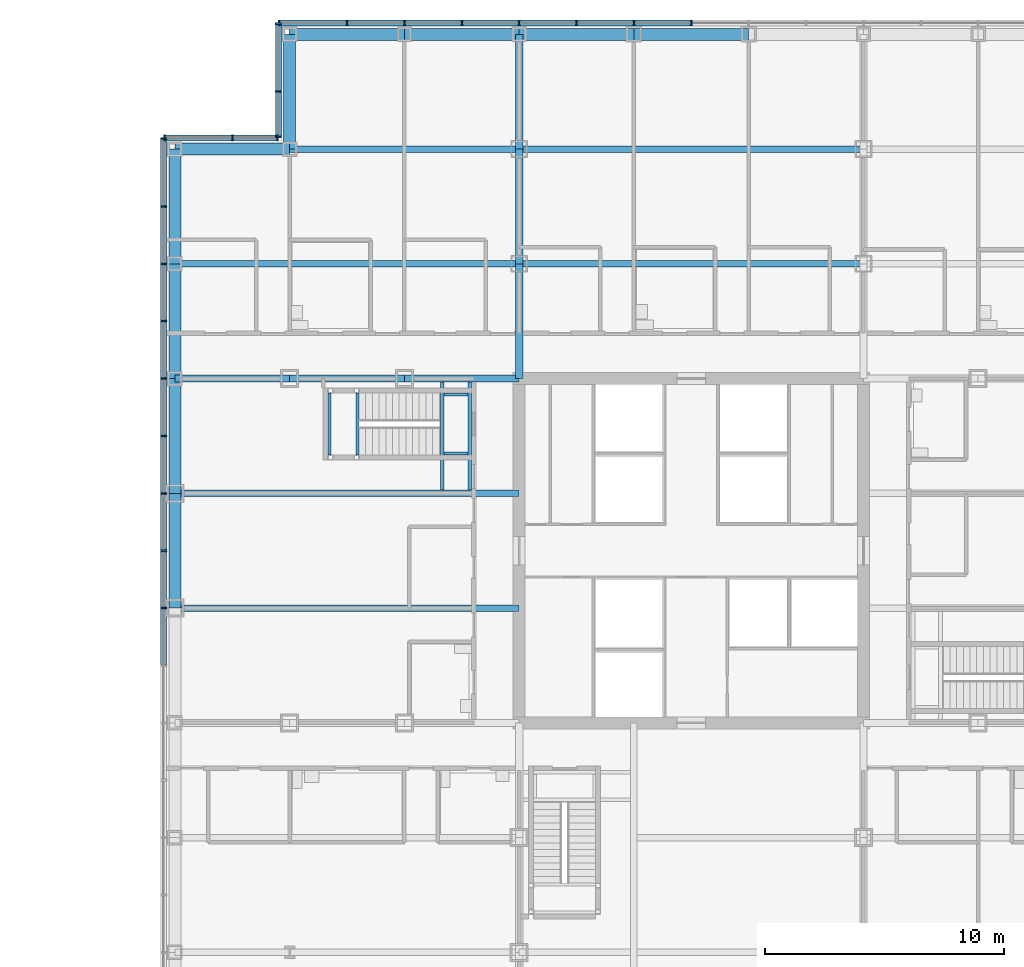
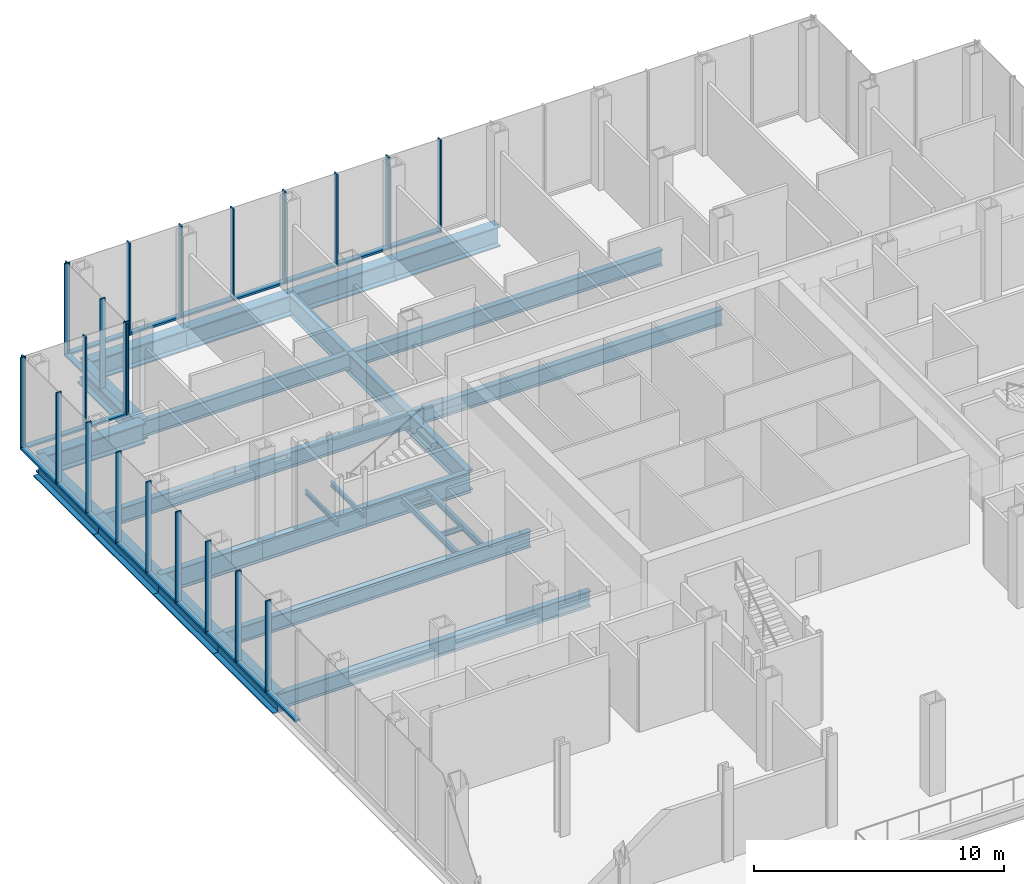
# One storey, part 16 of 26: 43 members, 28 beams, 4 elements without a shape of their own.
"""IFC4 building model written with IfcOpenShell, lengths in metres."""

from ifc_helpers import new_model, si_unit, direction, frame, origin, origin_2d, place, context, subcontext, project, spatial, rectangle, i_section, extrude, material, material_profile, profile_set, type_object, element, aggregate, save


model = new_model("IFC4")

# Units and contexts
model_context = context("Model", 3, precision=1e-05, world=origin(), true_north=direction((0.0, 1.0)))
body_context = subcontext(model_context, "Body", "Model", "MODEL_VIEW")
ifc_project = project(units=[si_unit("LENGTHUNIT", "METRE"), si_unit("AREAUNIT", "SQUARE_METRE"), si_unit("VOLUMEUNIT", "CUBIC_METRE"), si_unit("PLANEANGLEUNIT", "RADIAN"), si_unit("MASSUNIT", "GRAM", prefix="KILO")], contexts=[model_context])

# Site, building, storey
site_placement = place(None, origin())
site = spatial("IfcSite", under=ifc_project, at=site_placement, CompositionType="ELEMENT")
building_placement = place(site_placement, origin())
building = spatial("IfcBuilding", under=site, at=building_placement, Name="Kvirike Care Tower", CompositionType="ELEMENT")
storey_placement = place(building_placement, frame((0.0, 0.0, 18.0)))
storey = spatial("IfcBuildingStorey", under=building, at=storey_placement, Name="L04", CompositionType="ELEMENT", Elevation=18.0)

# Curtain wall, members
ifc_material_1 = material(Name="Anodised aluminium stick system", Category="aluminium")
curtain_wall_type = type_object("IfcCurtainWallType", Name="CW-P PODIUM STICK CURTAIN WALL", PredefinedType="NOTDEFINED", material=ifc_material_1)
curtain_wall_1_placement = place(storey_placement, origin())
curtain_wall_1 = element("IfcCurtainWall", 1, at=curtain_wall_1_placement, inside=storey, type_object=curtain_wall_type, Name="Curtain wall L04 face 11", PredefinedType="NOTDEFINED")
ifc_material_2 = material(Name="Bronze anodised aluminium mullion", Category="aluminium")
ifc_material_profile_1 = material_profile(ifc_material_2, rectangle(XDim=0.06494140625, YDim=0.25, at=origin_2d()), Name="CW-P MULLION 65x250")
ifc_profile_set_1 = profile_set([ifc_material_profile_1], Name="Bronze anodised aluminium mullion")
member_type_1 = type_object("IfcMemberType", Name="CW-P MULLION 65x250", PredefinedType="MULLION", material=ifc_profile_set_1)
member_1_placement = place(storey_placement, frame((21.60009765625, 58.074951171875, 0.0), z_axis=(0.0, 0.0, 1.0), x_axis=(-1.0, 0.0, 0.0)))
member_1 = element("IfcMember", 2, at=member_1_placement, type_object=member_type_1, Name="CW-P mullion L04 face 11.8", PredefinedType="MULLION", context=body_context, shape_type="SweptSolid", body=[
    extrude(rectangle(XDim=0.06494140625, YDim=0.25, at=origin_2d()), origin(), (0.0, 0.0, 1.0), 4.5),
])
member_2_placement = place(storey_placement, frame((19.199951171875, 58.074951171875, 0.0), z_axis=(0.0, 0.0, 1.0), x_axis=(-1.0, 0.0, 0.0)))
member_2 = element("IfcMember", 3, at=member_2_placement, type_object=member_type_1, Name="CW-P mullion L04 face 11.9", PredefinedType="MULLION", context=body_context, shape_type="SweptSolid", body=[
    extrude(rectangle(XDim=0.06494140625, YDim=0.25, at=origin_2d()), origin(), (0.0, 0.0, 1.0), 4.5),
])
member_3_placement = place(storey_placement, frame((16.800048828125, 58.074951171875, 0.0), z_axis=(0.0, 0.0, 1.0), x_axis=(-1.0, 0.0, 0.0)))
member_3 = element("IfcMember", 4, at=member_3_placement, type_object=member_type_1, Name="CW-P mullion L04 face 11.10", PredefinedType="MULLION", context=body_context, shape_type="SweptSolid", body=[
    extrude(rectangle(XDim=0.06494140625, YDim=0.25, at=origin_2d()), origin(), (0.0, 0.0, 1.0), 4.5),
])
member_4_placement = place(storey_placement, frame((14.39990234375, 58.074951171875, 0.0), z_axis=(0.0, 0.0, 1.0), x_axis=(-1.0, 0.0, 0.0)))
member_4 = element("IfcMember", 5, at=member_4_placement, type_object=member_type_1, Name="CW-P mullion L04 face 11.11", PredefinedType="MULLION", context=body_context, shape_type="SweptSolid", body=[
    extrude(rectangle(XDim=0.06494140625, YDim=0.25, at=origin_2d()), origin(), (0.0, 0.0, 1.0), 4.5),
])
member_5_placement = place(storey_placement, frame((12.0, 58.074951171875, 0.0), z_axis=(0.0, 0.0, 1.0), x_axis=(-1.0, 0.0, 0.0)))
member_5 = element("IfcMember", 6, at=member_5_placement, type_object=member_type_1, Name="CW-P mullion L04 face 11.12", PredefinedType="MULLION", context=body_context, shape_type="SweptSolid", body=[
    extrude(rectangle(XDim=0.06494140625, YDim=0.25, at=origin_2d()), origin(), (0.0, 0.0, 1.0), 4.5),
])
member_6_placement = place(storey_placement, frame((9.60009765625, 58.074951171875, 0.0), z_axis=(0.0, 0.0, 1.0), x_axis=(-1.0, 0.0, 0.0)))
member_6 = element("IfcMember", 7, at=member_6_placement, type_object=member_type_1, Name="CW-P mullion L04 face 11.13", PredefinedType="MULLION", context=body_context, shape_type="SweptSolid", body=[
    extrude(rectangle(XDim=0.06494140625, YDim=0.25, at=origin_2d()), origin(), (0.0, 0.0, 1.0), 4.5),
])
member_7_placement = place(storey_placement, frame((7.199951171875, 58.074951171875, 0.0), z_axis=(0.0, 0.0, 1.0), x_axis=(-1.0, 0.0, 0.0)))
member_7 = element("IfcMember", 8, at=member_7_placement, type_object=member_type_1, Name="CW-P mullion L04 face 11.14", PredefinedType="MULLION", context=body_context, shape_type="SweptSolid", body=[
    extrude(rectangle(XDim=0.06494140625, YDim=0.25, at=origin_2d()), origin(), (0.0, 0.0, 1.0), 4.5),
])
member_8_placement = place(storey_placement, frame((4.357421875, 58.074951171875, 0.0), z_axis=(0.0, 0.0, 1.0), x_axis=(-1.0, 0.0, 0.0)))
member_8 = element("IfcMember", 9, at=member_8_placement, type_object=member_type_1, Name="CW-P mullion L04 face 11.15", PredefinedType="MULLION", context=body_context, shape_type="SweptSolid", body=[
    extrude(rectangle(XDim=0.06494140625, YDim=0.25, at=origin_2d()), origin(), (0.0, 0.0, 1.0), 4.5),
])

curtain_wall_2_placement = place(storey_placement, origin())
curtain_wall_2 = element("IfcCurtainWall", 10, at=curtain_wall_2_placement, inside=storey, type_object=curtain_wall_type, Name="Curtain wall L04 face 12", PredefinedType="NOTDEFINED")
member_9_placement = place(storey_placement, frame((4.324951171875, 58.04248046875, 0.0), z_axis=(0.0, 0.0, 1.0), x_axis=(0.0, -1.0, 0.0)))
member_9 = element("IfcMember", 11, at=member_9_placement, type_object=member_type_1, Name="CW-P mullion L04 face 12.1", PredefinedType="MULLION", context=body_context, shape_type="SweptSolid", body=[
    extrude(rectangle(XDim=0.06494140625, YDim=0.25, at=origin_2d()), origin(), (0.0, 0.0, 1.0), 4.5),
])
member_10_placement = place(storey_placement, frame((4.324951171875, 55.199951171875, 0.0), z_axis=(0.0, 0.0, 1.0), x_axis=(0.0, -1.0, 0.0)))
member_10 = element("IfcMember", 12, at=member_10_placement, type_object=member_type_1, Name="CW-P mullion L04 face 12.2", PredefinedType="MULLION", context=body_context, shape_type="SweptSolid", body=[
    extrude(rectangle(XDim=0.06494140625, YDim=0.25, at=origin_2d()), origin(), (0.0, 0.0, 1.0), 4.5),
])
member_11_placement = place(storey_placement, frame((4.324951171875, 53.3076171875, 0.0), z_axis=(0.0, 0.0, 1.0), x_axis=(0.0, -1.0, 0.0)))
member_11 = element("IfcMember", 13, at=member_11_placement, type_object=member_type_1, Name="CW-P mullion L04 face 12.3", PredefinedType="MULLION", context=body_context, shape_type="SweptSolid", body=[
    extrude(rectangle(XDim=0.06494140625, YDim=0.25, at=origin_2d()), origin(), (0.0, 0.0, 1.0), 4.5),
])

curtain_wall_3_placement = place(storey_placement, origin())
curtain_wall_3 = element("IfcCurtainWall", 14, at=curtain_wall_3_placement, inside=storey, type_object=curtain_wall_type, Name="Curtain wall L04 face 13", PredefinedType="NOTDEFINED")
member_12_placement = place(storey_placement, frame((4.29248046875, 53.27490234375, 0.0), z_axis=(0.0, 0.0, 1.0), x_axis=(-1.0, 0.0, 0.0)))
member_12 = element("IfcMember", 15, at=member_12_placement, type_object=member_type_1, Name="CW-P mullion L04 face 13.1", PredefinedType="MULLION", context=body_context, shape_type="SweptSolid", body=[
    extrude(rectangle(XDim=0.06494140625, YDim=0.25, at=origin_2d()), origin(), (0.0, 0.0, 1.0), 4.5),
])
member_13_placement = place(storey_placement, frame((2.39990234375, 53.27490234375, 0.0), z_axis=(0.0, 0.0, 1.0), x_axis=(-1.0, 0.0, 0.0)))
member_13 = element("IfcMember", 16, at=member_13_placement, type_object=member_type_1, Name="CW-P mullion L04 face 13.2", PredefinedType="MULLION", context=body_context, shape_type="SweptSolid", body=[
    extrude(rectangle(XDim=0.06494140625, YDim=0.25, at=origin_2d()), origin(), (0.0, 0.0, 1.0), 4.5),
])
member_14_placement = place(storey_placement, frame((-0.4423828125, 53.27490234375, 0.0), z_axis=(0.0, 0.0, 1.0), x_axis=(-1.0, 0.0, 0.0)))
member_14 = element("IfcMember", 17, at=member_14_placement, type_object=member_type_1, Name="CW-P mullion L04 face 13.3", PredefinedType="MULLION", context=body_context, shape_type="SweptSolid", body=[
    extrude(rectangle(XDim=0.06494140625, YDim=0.25, at=origin_2d()), origin(), (0.0, 0.0, 1.0), 4.5),
])

curtain_wall_4_placement = place(storey_placement, origin())
curtain_wall_4 = element("IfcCurtainWall", 18, at=curtain_wall_4_placement, inside=storey, type_object=curtain_wall_type, Name="Curtain wall L04 face 14", PredefinedType="NOTDEFINED")
member_15_placement = place(storey_placement, frame((-0.47509765625, 53.242431640625, 0.0), z_axis=(0.0, 0.0, 1.0), x_axis=(0.0, -1.0, 0.0)))
member_15 = element("IfcMember", 19, at=member_15_placement, type_object=member_type_1, Name="CW-P mullion L04 face 14.1", PredefinedType="MULLION", context=body_context, shape_type="SweptSolid", body=[
    extrude(rectangle(XDim=0.06494140625, YDim=0.25, at=origin_2d()), origin(), (0.0, 0.0, 1.0), 4.5),
])
member_16_placement = place(storey_placement, frame((-0.47509765625, 50.39990234375, 0.0), z_axis=(0.0, 0.0, 1.0), x_axis=(0.0, -1.0, 0.0)))
member_16 = element("IfcMember", 20, at=member_16_placement, type_object=member_type_1, Name="CW-P mullion L04 face 14.2", PredefinedType="MULLION", context=body_context, shape_type="SweptSolid", body=[
    extrude(rectangle(XDim=0.06494140625, YDim=0.25, at=origin_2d()), origin(), (0.0, 0.0, 1.0), 4.5),
])
member_17_placement = place(storey_placement, frame((-0.47509765625, 48.0, 0.0), z_axis=(0.0, 0.0, 1.0), x_axis=(0.0, -1.0, 0.0)))
member_17 = element("IfcMember", 21, at=member_17_placement, type_object=member_type_1, Name="CW-P mullion L04 face 14.3", PredefinedType="MULLION", context=body_context, shape_type="SweptSolid", body=[
    extrude(rectangle(XDim=0.06494140625, YDim=0.25, at=origin_2d()), origin(), (0.0, 0.0, 1.0), 4.5),
])
member_18_placement = place(storey_placement, frame((-0.47509765625, 45.60009765625, 0.0), z_axis=(0.0, 0.0, 1.0), x_axis=(0.0, -1.0, 0.0)))
member_18 = element("IfcMember", 22, at=member_18_placement, type_object=member_type_1, Name="CW-P mullion L04 face 14.4", PredefinedType="MULLION", context=body_context, shape_type="SweptSolid", body=[
    extrude(rectangle(XDim=0.06494140625, YDim=0.25, at=origin_2d()), origin(), (0.0, 0.0, 1.0), 4.5),
])
member_19_placement = place(storey_placement, frame((-0.47509765625, 43.199951171875, 0.0), z_axis=(0.0, 0.0, 1.0), x_axis=(0.0, -1.0, 0.0)))
member_19 = element("IfcMember", 23, at=member_19_placement, type_object=member_type_1, Name="CW-P mullion L04 face 14.5", PredefinedType="MULLION", context=body_context, shape_type="SweptSolid", body=[
    extrude(rectangle(XDim=0.06494140625, YDim=0.25, at=origin_2d()), origin(), (0.0, 0.0, 1.0), 4.5),
])
member_20_placement = place(storey_placement, frame((-0.47509765625, 40.800048828125, 0.0), z_axis=(0.0, 0.0, 1.0), x_axis=(0.0, -1.0, 0.0)))
member_20 = element("IfcMember", 24, at=member_20_placement, type_object=member_type_1, Name="CW-P mullion L04 face 14.6", PredefinedType="MULLION", context=body_context, shape_type="SweptSolid", body=[
    extrude(rectangle(XDim=0.06494140625, YDim=0.25, at=origin_2d()), origin(), (0.0, 0.0, 1.0), 4.5),
])
member_21_placement = place(storey_placement, frame((-0.47509765625, 38.39990234375, 0.0), z_axis=(0.0, 0.0, 1.0), x_axis=(0.0, -1.0, 0.0)))
member_21 = element("IfcMember", 25, at=member_21_placement, type_object=member_type_1, Name="CW-P mullion L04 face 14.7", PredefinedType="MULLION", context=body_context, shape_type="SweptSolid", body=[
    extrude(rectangle(XDim=0.06494140625, YDim=0.25, at=origin_2d()), origin(), (0.0, 0.0, 1.0), 4.5),
])
member_22_placement = place(storey_placement, frame((-0.47509765625, 36.0, 0.0), z_axis=(0.0, 0.0, 1.0), x_axis=(0.0, -1.0, 0.0)))
member_22 = element("IfcMember", 26, at=member_22_placement, type_object=member_type_1, Name="CW-P mullion L04 face 14.8", PredefinedType="MULLION", context=body_context, shape_type="SweptSolid", body=[
    extrude(rectangle(XDim=0.06494140625, YDim=0.25, at=origin_2d()), origin(), (0.0, 0.0, 1.0), 4.5),
])
member_23_placement = place(storey_placement, frame((-0.47509765625, 33.60009765625, 0.0), z_axis=(0.0, 0.0, 1.0), x_axis=(0.0, -1.0, 0.0)))
member_23 = element("IfcMember", 27, at=member_23_placement, type_object=member_type_1, Name="CW-P mullion L04 face 14.9", PredefinedType="MULLION", context=body_context, shape_type="SweptSolid", body=[
    extrude(rectangle(XDim=0.06494140625, YDim=0.25, at=origin_2d()), origin(), (0.0, 0.0, 1.0), 4.5),
])

# Member
ifc_material_3 = material(Name="Bronze anodised aluminium transom", Category="aluminium")
ifc_material_profile_2 = material_profile(ifc_material_3, rectangle(XDim=0.25, YDim=0.10009765625, at=origin_2d()), Name="CW-P TRANSOM 250x100")
ifc_profile_set_2 = profile_set([ifc_material_profile_2], Name="Bronze anodised aluminium transom")
member_type_2 = type_object("IfcMemberType", Name="CW-P TRANSOM 250x100", PredefinedType="USERDEFINED", material=ifc_profile_set_2)
member_24_placement = place(storey_placement, frame((21.5673828125, 58.074951171875, 0.050048828125), z_axis=(-1.0, 0.0, 0.0), x_axis=(0.0, -1.0, 0.0)))
member_24 = element("IfcMember", 28, at=member_24_placement, type_object=member_type_2, Name="CW-P sill transom L04 face 11.8", ObjectType="TRANSOM", PredefinedType="USERDEFINED", context=body_context, shape_type="SweptSolid", body=[
    extrude(rectangle(XDim=0.25, YDim=0.10009765625, at=origin_2d()), origin(), (0.0, 0.0, 1.0), 2.3349609375),
])

member_25_placement = place(storey_placement, frame((19.16748046875, 58.074951171875, 0.050048828125), z_axis=(-1.0, 0.0, 0.0), x_axis=(0.0, -1.0, 0.0)))
member_25 = element("IfcMember", 29, at=member_25_placement, type_object=member_type_2, Name="CW-P sill transom L04 face 11.9", ObjectType="TRANSOM", PredefinedType="USERDEFINED", context=body_context, shape_type="SweptSolid", body=[
    extrude(rectangle(XDim=0.25, YDim=0.10009765625, at=origin_2d()), origin(), (0.0, 0.0, 1.0), 2.3349609375),
])

member_26_placement = place(storey_placement, frame((16.767578125, 58.074951171875, 0.050048828125), z_axis=(-1.0, 0.0, 0.0), x_axis=(0.0, -1.0, 0.0)))
member_26 = element("IfcMember", 30, at=member_26_placement, type_object=member_type_2, Name="CW-P sill transom L04 face 11.10", ObjectType="TRANSOM", PredefinedType="USERDEFINED", context=body_context, shape_type="SweptSolid", body=[
    extrude(rectangle(XDim=0.25, YDim=0.10009765625, at=origin_2d()), origin(), (0.0, 0.0, 1.0), 2.3349609375),
])

member_27_placement = place(storey_placement, frame((14.367431640625, 58.074951171875, 0.050048828125), z_axis=(-1.0, 0.0, 0.0), x_axis=(0.0, -1.0, 0.0)))
member_27 = element("IfcMember", 31, at=member_27_placement, type_object=member_type_2, Name="CW-P sill transom L04 face 11.11", ObjectType="TRANSOM", PredefinedType="USERDEFINED", context=body_context, shape_type="SweptSolid", body=[
    extrude(rectangle(XDim=0.25, YDim=0.10009765625, at=origin_2d()), origin(), (0.0, 0.0, 1.0), 2.3349609375),
])

member_28_placement = place(storey_placement, frame((11.967529296875, 58.074951171875, 0.050048828125), z_axis=(-1.0, 0.0, 0.0), x_axis=(0.0, -1.0, 0.0)))
member_28 = element("IfcMember", 32, at=member_28_placement, type_object=member_type_2, Name="CW-P sill transom L04 face 11.12", ObjectType="TRANSOM", PredefinedType="USERDEFINED", context=body_context, shape_type="SweptSolid", body=[
    extrude(rectangle(XDim=0.25, YDim=0.10009765625, at=origin_2d()), origin(), (0.0, 0.0, 1.0), 2.3349609375),
])

member_29_placement = place(storey_placement, frame((9.5673828125, 58.074951171875, 0.050048828125), z_axis=(-1.0, 0.0, 0.0), x_axis=(0.0, -1.0, 0.0)))
member_29 = element("IfcMember", 33, at=member_29_placement, type_object=member_type_2, Name="CW-P sill transom L04 face 11.13", ObjectType="TRANSOM", PredefinedType="USERDEFINED", context=body_context, shape_type="SweptSolid", body=[
    extrude(rectangle(XDim=0.25, YDim=0.10009765625, at=origin_2d()), origin(), (0.0, 0.0, 1.0), 2.3349609375),
])

member_30_placement = place(storey_placement, frame((7.16748046875, 58.074951171875, 0.050048828125), z_axis=(-1.0, 0.0, 0.0), x_axis=(0.0, -1.0, 0.0)))
member_30 = element("IfcMember", 34, at=member_30_placement, type_object=member_type_2, Name="CW-P sill transom L04 face 11.14", ObjectType="TRANSOM", PredefinedType="USERDEFINED", context=body_context, shape_type="SweptSolid", body=[
    extrude(rectangle(XDim=0.25, YDim=0.10009765625, at=origin_2d()), origin(), (0.0, 0.0, 1.0), 2.777587890625),
])

aggregate(curtain_wall_1, [member_1, member_2, member_3, member_4, member_5, member_6, member_7, member_8, member_24, member_25, member_26, member_27, member_28, member_29, member_30])

member_31_placement = place(storey_placement, frame((4.324951171875, 58.010009765625, 0.050048828125), z_axis=(0.0, -1.0, 0.0), x_axis=(1.0, 0.0, 0.0)))
member_31 = element("IfcMember", 35, at=member_31_placement, type_object=member_type_2, Name="CW-P sill transom L04 face 12.1", ObjectType="TRANSOM", PredefinedType="USERDEFINED", context=body_context, shape_type="SweptSolid", body=[
    extrude(rectangle(XDim=0.25, YDim=0.10009765625, at=origin_2d()), origin(), (0.0, 0.0, 1.0), 2.777587890625),
])

member_32_placement = place(storey_placement, frame((4.324951171875, 55.16748046875, 0.050048828125), z_axis=(0.0, -1.0, 0.0), x_axis=(1.0, 0.0, 0.0)))
member_32 = element("IfcMember", 36, at=member_32_placement, type_object=member_type_2, Name="CW-P sill transom L04 face 12.2", ObjectType="TRANSOM", PredefinedType="USERDEFINED", context=body_context, shape_type="SweptSolid", body=[
    extrude(rectangle(XDim=0.25, YDim=0.10009765625, at=origin_2d()), origin(), (0.0, 0.0, 1.0), 1.827392578125),
])

aggregate(curtain_wall_2, [member_9, member_10, member_11, member_31, member_32])

member_33_placement = place(storey_placement, frame((4.260009765625, 53.27490234375, 0.050048828125), z_axis=(-1.0, 0.0, 0.0), x_axis=(0.0, -1.0, 0.0)))
member_33 = element("IfcMember", 37, at=member_33_placement, type_object=member_type_2, Name="CW-P sill transom L04 face 13.1", ObjectType="TRANSOM", PredefinedType="USERDEFINED", context=body_context, shape_type="SweptSolid", body=[
    extrude(rectangle(XDim=0.25, YDim=0.10009765625, at=origin_2d()), origin(), (0.0, 0.0, 1.0), 1.827392578125),
])

member_34_placement = place(storey_placement, frame((2.367431640625, 53.27490234375, 0.050048828125), z_axis=(-1.0, 0.0, 0.0), x_axis=(0.0, -1.0, 0.0)))
member_34 = element("IfcMember", 38, at=member_34_placement, type_object=member_type_2, Name="CW-P sill transom L04 face 13.2", ObjectType="TRANSOM", PredefinedType="USERDEFINED", context=body_context, shape_type="SweptSolid", body=[
    extrude(rectangle(XDim=0.25, YDim=0.10009765625, at=origin_2d()), origin(), (0.0, 0.0, 1.0), 2.77734375),
])

aggregate(curtain_wall_3, [member_12, member_13, member_14, member_33, member_34])

member_35_placement = place(storey_placement, frame((-0.47509765625, 53.2099609375, 0.050048828125), z_axis=(0.0, -1.0, 0.0), x_axis=(1.0, 0.0, 0.0)))
member_35 = element("IfcMember", 39, at=member_35_placement, type_object=member_type_2, Name="CW-P sill transom L04 face 14.1", ObjectType="TRANSOM", PredefinedType="USERDEFINED", context=body_context, shape_type="SweptSolid", body=[
    extrude(rectangle(XDim=0.25, YDim=0.10009765625, at=origin_2d()), origin(), (0.0, 0.0, 1.0), 2.77734375),
])

member_36_placement = place(storey_placement, frame((-0.47509765625, 50.367431640625, 0.050048828125), z_axis=(0.0, -1.0, 0.0), x_axis=(1.0, 0.0, 0.0)))
member_36 = element("IfcMember", 40, at=member_36_placement, type_object=member_type_2, Name="CW-P sill transom L04 face 14.2", ObjectType="TRANSOM", PredefinedType="USERDEFINED", context=body_context, shape_type="SweptSolid", body=[
    extrude(rectangle(XDim=0.25, YDim=0.10009765625, at=origin_2d()), origin(), (0.0, 0.0, 1.0), 2.3349609375),
])

member_37_placement = place(storey_placement, frame((-0.47509765625, 47.967529296875, 0.050048828125), z_axis=(0.0, -1.0, 0.0), x_axis=(1.0, 0.0, 0.0)))
member_37 = element("IfcMember", 41, at=member_37_placement, type_object=member_type_2, Name="CW-P sill transom L04 face 14.3", ObjectType="TRANSOM", PredefinedType="USERDEFINED", context=body_context, shape_type="SweptSolid", body=[
    extrude(rectangle(XDim=0.25, YDim=0.10009765625, at=origin_2d()), origin(), (0.0, 0.0, 1.0), 2.3349609375),
])

member_38_placement = place(storey_placement, frame((-0.47509765625, 45.5673828125, 0.050048828125), z_axis=(0.0, -1.0, 0.0), x_axis=(1.0, 0.0, 0.0)))
member_38 = element("IfcMember", 42, at=member_38_placement, type_object=member_type_2, Name="CW-P sill transom L04 face 14.4", ObjectType="TRANSOM", PredefinedType="USERDEFINED", context=body_context, shape_type="SweptSolid", body=[
    extrude(rectangle(XDim=0.25, YDim=0.10009765625, at=origin_2d()), origin(), (0.0, 0.0, 1.0), 2.3349609375),
])

member_39_placement = place(storey_placement, frame((-0.47509765625, 43.16748046875, 0.050048828125), z_axis=(0.0, -1.0, 0.0), x_axis=(1.0, 0.0, 0.0)))
member_39 = element("IfcMember", 43, at=member_39_placement, type_object=member_type_2, Name="CW-P sill transom L04 face 14.5", ObjectType="TRANSOM", PredefinedType="USERDEFINED", context=body_context, shape_type="SweptSolid", body=[
    extrude(rectangle(XDim=0.25, YDim=0.10009765625, at=origin_2d()), origin(), (0.0, 0.0, 1.0), 2.3349609375),
])

member_40_placement = place(storey_placement, frame((-0.47509765625, 40.767578125, 0.050048828125), z_axis=(0.0, -1.0, 0.0), x_axis=(1.0, 0.0, 0.0)))
member_40 = element("IfcMember", 44, at=member_40_placement, type_object=member_type_2, Name="CW-P sill transom L04 face 14.6", ObjectType="TRANSOM", PredefinedType="USERDEFINED", context=body_context, shape_type="SweptSolid", body=[
    extrude(rectangle(XDim=0.25, YDim=0.10009765625, at=origin_2d()), origin(), (0.0, 0.0, 1.0), 2.3349609375),
])

member_41_placement = place(storey_placement, frame((-0.47509765625, 38.367431640625, 0.050048828125), z_axis=(0.0, -1.0, 0.0), x_axis=(1.0, 0.0, 0.0)))
member_41 = element("IfcMember", 45, at=member_41_placement, type_object=member_type_2, Name="CW-P sill transom L04 face 14.7", ObjectType="TRANSOM", PredefinedType="USERDEFINED", context=body_context, shape_type="SweptSolid", body=[
    extrude(rectangle(XDim=0.25, YDim=0.10009765625, at=origin_2d()), origin(), (0.0, 0.0, 1.0), 2.3349609375),
])

member_42_placement = place(storey_placement, frame((-0.47509765625, 35.967529296875, 0.050048828125), z_axis=(0.0, -1.0, 0.0), x_axis=(1.0, 0.0, 0.0)))
member_42 = element("IfcMember", 46, at=member_42_placement, type_object=member_type_2, Name="CW-P sill transom L04 face 14.8", ObjectType="TRANSOM", PredefinedType="USERDEFINED", context=body_context, shape_type="SweptSolid", body=[
    extrude(rectangle(XDim=0.25, YDim=0.10009765625, at=origin_2d()), origin(), (0.0, 0.0, 1.0), 2.3349609375),
])

member_43_placement = place(storey_placement, frame((-0.47509765625, 33.5673828125, 0.050048828125), z_axis=(0.0, -1.0, 0.0), x_axis=(1.0, 0.0, 0.0)))
member_43 = element("IfcMember", 47, at=member_43_placement, type_object=member_type_2, Name="CW-P sill transom L04 face 14.9", ObjectType="TRANSOM", PredefinedType="USERDEFINED", context=body_context, shape_type="SweptSolid", body=[
    extrude(rectangle(XDim=0.25, YDim=0.10009765625, at=origin_2d()), origin(), (0.0, 0.0, 1.0), 2.3349609375),
])

aggregate(curtain_wall_4, [member_15, member_16, member_17, member_18, member_19, member_20, member_21, member_22, member_23, member_35, member_36, member_37, member_38, member_39, member_40, member_41, member_42, member_43])

# Beams
ifc_material_4 = material(Name="Steel S355", Category="steel")
ifc_material_profile_3 = material_profile(ifc_material_4, i_section(OverallWidth=0.26806640625, OverallDepth=0.77001953125, WebThickness=0.015625, FlangeThickness=0.025390625, FilletRadius=0.01708984375, at=origin_2d()), Name="IPE 750x196")
ifc_profile_set_3 = profile_set([ifc_material_profile_3], Name="Steel S355")
beam_type_1 = type_object("IfcBeamType", Name="FLOOR BEAM IPE 750x196", PredefinedType="BEAM", material=ifc_profile_set_3)
for number, where, z_axis, x_axis, name in (
    (48, (0.0, 33.60009765625, -0.554931640625), (1.0, 0.0, 0.0), (0.0, 1.0, 0.0), "Floor Beam H3-H6 L04"),
    (49, (0.0, 38.39990234375, -0.554931640625), (1.0, 0.0, 0.0), (0.0, 1.0, 0.0), "Floor Beam J3-J6 L04"),
    (50, (0.0, 48.0, -0.554931640625), (1.0, 0.0, 0.0), (0.0, 1.0, 0.0), "Floor Beam L3-L6 L04"),
):
    element("IfcBeam", number, at=place(storey_placement, frame(where, z_axis=z_axis, x_axis=x_axis)), inside=storey, type_object=beam_type_1, Name=name, PredefinedType="BEAM", context=body_context, shape_type="SweptSolid", body=[
        extrude(i_section(OverallWidth=0.26806640625, OverallDepth=0.77001953125, WebThickness=0.015625, FlangeThickness=0.025390625, FilletRadius=0.01708984375, at=origin_2d()), origin(), (0.0, 0.0, 1.0), 14.39990234375),
    ])
beam_1_placement = place(storey_placement, frame((14.39990234375, 48.0, -0.554931640625), z_axis=(1.0, 0.0, 0.0), x_axis=(0.0, 1.0, 0.0)))
element("IfcBeam", 51, at=beam_1_placement, inside=storey, type_object=beam_type_1, Name="Floor Beam L6-L9 L04", PredefinedType="BEAM", context=body_context, shape_type="SweptSolid", body=[
    extrude(i_section(OverallWidth=0.26806640625, OverallDepth=0.77001953125, WebThickness=0.015625, FlangeThickness=0.025390625, FilletRadius=0.01708984375, at=origin_2d()), origin(), (0.0, 0.0, 1.0), 14.400146484375),
])
beam_2_placement = place(storey_placement, frame((4.800048828125, 52.800048828125, -0.554931640625), z_axis=(1.0, 0.0, 0.0), x_axis=(0.0, 1.0, 0.0)))
element("IfcBeam", 52, at=beam_2_placement, inside=storey, type_object=beam_type_1, Name="Floor Beam M4-M6 L04", PredefinedType="BEAM", context=body_context, shape_type="SweptSolid", body=[
    extrude(i_section(OverallWidth=0.26806640625, OverallDepth=0.77001953125, WebThickness=0.015625, FlangeThickness=0.025390625, FilletRadius=0.01708984375, at=origin_2d()), origin(), (0.0, 0.0, 1.0), 9.599853515625),
])
beam_3_placement = place(storey_placement, frame((14.39990234375, 52.800048828125, -0.554931640625), z_axis=(1.0, 0.0, 0.0), x_axis=(0.0, 1.0, 0.0)))
element("IfcBeam", 53, at=beam_3_placement, inside=storey, type_object=beam_type_1, Name="Floor Beam M6-M9 L04", PredefinedType="BEAM", context=body_context, shape_type="SweptSolid", body=[
    extrude(i_section(OverallWidth=0.26806640625, OverallDepth=0.77001953125, WebThickness=0.015625, FlangeThickness=0.025390625, FilletRadius=0.01708984375, at=origin_2d()), origin(), (0.0, 0.0, 1.0), 14.400146484375),
])
ifc_material_5 = material(Name="Steel S355", Category="steel")
ifc_material_profile_4 = material_profile(ifc_material_5, i_section(OverallWidth=0.300048828125, OverallDepth=1.0, WebThickness=0.01904296875, FlangeThickness=0.035888671875, FilletRadius=0.030029296875, at=origin_2d()), Name="HE 1000 B")
ifc_profile_set_4 = profile_set([ifc_material_profile_4], Name="Steel S355")
beam_type_2 = type_object("IfcBeamType", Name="FRAME BEAM HE 1000 B", PredefinedType="BEAM", material=ifc_profile_set_4)
for number, where, z_axis, x_axis, name in (
    (54, (0.0, 43.199951171875, -0.669921875), (1.0, 0.0, 0.0), (0.0, 1.0, 0.0), "Frame Beam K3-K4 L04"),
    (55, (4.800048828125, 43.199951171875, -0.669921875), (1.0, 0.0, 0.0), (0.0, 1.0, 0.0), "Frame Beam K4-K5 L04"),
):
    element("IfcBeam", number, at=place(storey_placement, frame(where, z_axis=z_axis, x_axis=x_axis)), inside=storey, type_object=beam_type_2, Name=name, PredefinedType="BEAM", context=body_context, shape_type="SweptSolid", body=[
        extrude(i_section(OverallWidth=0.300048828125, OverallDepth=1.0, WebThickness=0.01904296875, FlangeThickness=0.035888671875, FilletRadius=0.030029296875, at=origin_2d()), origin(), (0.0, 0.0, 1.0), 4.800048828125),
    ])
beam_4_placement = place(storey_placement, frame((9.60009765625, 43.199951171875, -0.669921875), z_axis=(1.0, 0.0, 0.0), x_axis=(0.0, 1.0, 0.0)))
element("IfcBeam", 56, at=beam_4_placement, inside=storey, type_object=beam_type_2, Name="Frame Beam K5-K6 L04", PredefinedType="BEAM", context=body_context, shape_type="SweptSolid", body=[
    extrude(i_section(OverallWidth=0.300048828125, OverallDepth=1.0, WebThickness=0.01904296875, FlangeThickness=0.035888671875, FilletRadius=0.030029296875, at=origin_2d()), origin(), (0.0, 0.0, 1.0), 4.7998046875),
])
for number, where, z_axis, x_axis, name in (
    (57, (14.39990234375, 43.199951171875, -0.669921875), (0.0, 1.0, 0.0), (-1.0, 0.0, 0.0), "Frame Beam K6-L6 L04"),
    (58, (14.39990234375, 48.0, -0.669921875), (0.0, 1.0, 0.0), (-1.0, 0.0, 0.0), "Frame Beam L6-M6 L04"),
    (59, (14.39990234375, 52.800048828125, -0.669921875), (0.0, 1.0, 0.0), (-1.0, 0.0, 0.0), "Frame Beam M6-N6 L04"),
):
    element("IfcBeam", number, at=place(storey_placement, frame(where, z_axis=z_axis, x_axis=x_axis)), inside=storey, type_object=beam_type_2, Name=name, PredefinedType="BEAM", context=body_context, shape_type="SweptSolid", body=[
        extrude(i_section(OverallWidth=0.300048828125, OverallDepth=1.0, WebThickness=0.01904296875, FlangeThickness=0.035888671875, FilletRadius=0.030029296875, at=origin_2d()), origin(), (0.0, 0.0, 1.0), 4.800048828125),
    ])
ifc_material_6 = material(Name="Steel S355", Category="steel")
ifc_material_profile_5 = material_profile(ifc_material_6, i_section(OverallWidth=0.5, OverallDepth=1.0, WebThickness=0.030029296875, FlangeThickness=0.06005859375, at=origin_2d()), Name="PG 1000x500x30x60")
ifc_profile_set_5 = profile_set([ifc_material_profile_5], Name="Steel S355")
beam_type_3 = type_object("IfcBeamType", Name="SPANDREL PG 1000x500x30x60", PredefinedType="SPANDREL", material=ifc_profile_set_5)
for number, where, z_axis, x_axis, name in (
    (60, (0.0, 52.800048828125, -0.669921875), (1.0, 0.0, 0.0), (0.0, 1.0, 0.0), "Spandrel M3-M4 L04"),
    (61, (4.800048828125, 57.60009765625, -0.669921875), (1.0, 0.0, 0.0), (0.0, 1.0, 0.0), "Spandrel N4-N5 L04"),
):
    element("IfcBeam", number, at=place(storey_placement, frame(where, z_axis=z_axis, x_axis=x_axis)), inside=storey, type_object=beam_type_3, Name=name, PredefinedType="SPANDREL", context=body_context, shape_type="SweptSolid", body=[
        extrude(i_section(OverallWidth=0.5, OverallDepth=1.0, WebThickness=0.030029296875, FlangeThickness=0.06005859375, at=origin_2d()), origin(), (0.0, 0.0, 1.0), 4.800048828125),
    ])
beam_5_placement = place(storey_placement, frame((9.60009765625, 57.60009765625, -0.669921875), z_axis=(1.0, 0.0, 0.0), x_axis=(0.0, 1.0, 0.0)))
element("IfcBeam", 62, at=beam_5_placement, inside=storey, type_object=beam_type_3, Name="Spandrel N5-N6 L04", PredefinedType="SPANDREL", context=body_context, shape_type="SweptSolid", body=[
    extrude(i_section(OverallWidth=0.5, OverallDepth=1.0, WebThickness=0.030029296875, FlangeThickness=0.06005859375, at=origin_2d()), origin(), (0.0, 0.0, 1.0), 4.7998046875),
])
for number, where, z_axis, x_axis, name in (
    (63, (14.39990234375, 57.60009765625, -0.669921875), (1.0, 0.0, 0.0), (0.0, 1.0, 0.0), "Spandrel N6-N7 L04"),
    (64, (19.199951171875, 57.60009765625, -0.669921875), (1.0, 0.0, 0.0), (0.0, 1.0, 0.0), "Spandrel N7-N8 L04"),
):
    element("IfcBeam", number, at=place(storey_placement, frame(where, z_axis=z_axis, x_axis=x_axis)), inside=storey, type_object=beam_type_3, Name=name, PredefinedType="SPANDREL", context=body_context, shape_type="SweptSolid", body=[
        extrude(i_section(OverallWidth=0.5, OverallDepth=1.0, WebThickness=0.030029296875, FlangeThickness=0.06005859375, at=origin_2d()), origin(), (0.0, 0.0, 1.0), 4.800048828125),
    ])
beam_6_placement = place(storey_placement, frame((0.0, 33.60009765625, -0.669921875), z_axis=(0.0, 1.0, 0.0), x_axis=(-1.0, 0.0, 0.0)))
element("IfcBeam", 65, at=beam_6_placement, inside=storey, type_object=beam_type_3, Name="Spandrel H3-J3 L04", PredefinedType="SPANDREL", context=body_context, shape_type="SweptSolid", body=[
    extrude(i_section(OverallWidth=0.5, OverallDepth=1.0, WebThickness=0.030029296875, FlangeThickness=0.06005859375, at=origin_2d()), origin(), (0.0, 0.0, 1.0), 4.7998046875),
])
for number, where, z_axis, x_axis, name in (
    (66, (0.0, 38.39990234375, -0.669921875), (0.0, 1.0, 0.0), (-1.0, 0.0, 0.0), "Spandrel J3-K3 L04"),
    (67, (0.0, 43.199951171875, -0.669921875), (0.0, 1.0, 0.0), (-1.0, 0.0, 0.0), "Spandrel K3-L3 L04"),
    (68, (0.0, 48.0, -0.669921875), (0.0, 1.0, 0.0), (-1.0, 0.0, 0.0), "Spandrel L3-M3 L04"),
    (69, (4.800048828125, 52.800048828125, -0.669921875), (0.0, 1.0, 0.0), (-1.0, 0.0, 0.0), "Spandrel M4-N4 L04"),
):
    element("IfcBeam", number, at=place(storey_placement, frame(where, z_axis=z_axis, x_axis=x_axis)), inside=storey, type_object=beam_type_3, Name=name, PredefinedType="SPANDREL", context=body_context, shape_type="SweptSolid", body=[
        extrude(i_section(OverallWidth=0.5, OverallDepth=1.0, WebThickness=0.030029296875, FlangeThickness=0.06005859375, at=origin_2d()), origin(), (0.0, 0.0, 1.0), 4.800048828125),
    ])
ifc_material_7 = material(Name="Steel S355", Category="steel")
ifc_material_profile_6 = material_profile(ifc_material_7, i_section(OverallWidth=0.1201171875, OverallDepth=0.239990234375, WebThickness=0.006103515625, FlangeThickness=0.009765625, FilletRadius=0.014892578125, at=origin_2d()), Name="IPE 240")
ifc_profile_set_6 = profile_set([ifc_material_profile_6], Name="Steel S355")
beam_type_4 = type_object("IfcBeamType", Name="STAIR LANDING BEAM IPE 240", PredefinedType="BEAM", material=ifc_profile_set_6)
for number, where, z_axis, x_axis, name in (
    (70, (6.4599609375, 42.60009765625, 1.929931640625), (0.0, -1.0, 0.0), (1.0, 0.0, 0.0), "Stair 1 landing beam back L04"),
    (71, (7.639892578125, 42.60009765625, 1.929931640625), (0.0, -1.0, 0.0), (1.0, 0.0, 0.0), "Stair 1 landing beam front L04"),
):
    element("IfcBeam", number, at=place(storey_placement, frame(where, z_axis=z_axis, x_axis=x_axis)), inside=storey, type_object=beam_type_4, Name=name, PredefinedType="BEAM", context=body_context, shape_type="SweptSolid", body=[
        extrude(i_section(OverallWidth=0.1201171875, OverallDepth=0.239990234375, WebThickness=0.006103515625, FlangeThickness=0.009765625, FilletRadius=0.014892578125, at=origin_2d()), origin(), (0.0, 0.0, 1.0), 2.60009765625),
    ])
for number, where, z_axis, x_axis, name in (
    (72, (11.25, 42.5400390625, -0.320068359375), (1.0, 0.0, 0.0), (0.0, 1.0, 0.0), "Stair 1 landing edge beam 1 L04"),
    (73, (11.25, 40.06005859375, -0.320068359375), (1.0, 0.0, 0.0), (0.0, 1.0, 0.0), "Stair 1 landing edge beam 2 L04"),
):
    element("IfcBeam", number, at=place(storey_placement, frame(where, z_axis=z_axis, x_axis=x_axis)), inside=storey, type_object=beam_type_4, Name=name, PredefinedType="BEAM", context=body_context, shape_type="SweptSolid", body=[
        extrude(i_section(OverallWidth=0.1201171875, OverallDepth=0.239990234375, WebThickness=0.006103515625, FlangeThickness=0.009765625, FilletRadius=0.014892578125, at=origin_2d()), origin(), (0.0, 0.0, 1.0), 1.0),
    ])
ifc_material_8 = material(Name="Steel S355", Category="steel")
ifc_material_profile_7 = material_profile(ifc_material_8, i_section(OverallWidth=0.14990234375, OverallDepth=0.300048828125, WebThickness=0.007080078125, FlangeThickness=0.0107421875, FilletRadius=0.014892578125, at=origin_2d()), Name="IPE 300")
ifc_profile_set_7 = profile_set([ifc_material_profile_7], Name="Steel S355")
beam_type_5 = type_object("IfcBeamType", Name="STAIR TRIMMER IPE 300", PredefinedType="BEAM", material=ifc_profile_set_7)
for number, where, z_axis, x_axis, name in (
    (74, (11.175048828125, 43.050048828125, -0.35009765625), (0.0, -1.0, 0.0), (1.0, 0.0, 0.0), "Stair 1 trimmer 1 L04"),
    (75, (12.324951171875, 43.050048828125, -0.35009765625), (0.0, -1.0, 0.0), (1.0, 0.0, 0.0), "Stair 1 trimmer 2 L04"),
):
    element("IfcBeam", number, at=place(storey_placement, frame(where, z_axis=z_axis, x_axis=x_axis)), inside=storey, type_object=beam_type_5, Name=name, PredefinedType="BEAM", context=body_context, shape_type="SweptSolid", body=[
        extrude(i_section(OverallWidth=0.14990234375, OverallDepth=0.300048828125, WebThickness=0.007080078125, FlangeThickness=0.0107421875, FilletRadius=0.014892578125, at=origin_2d()), origin(), (0.0, 0.0, 1.0), 4.51611328125),
    ])

save(model, "model.ifc")
